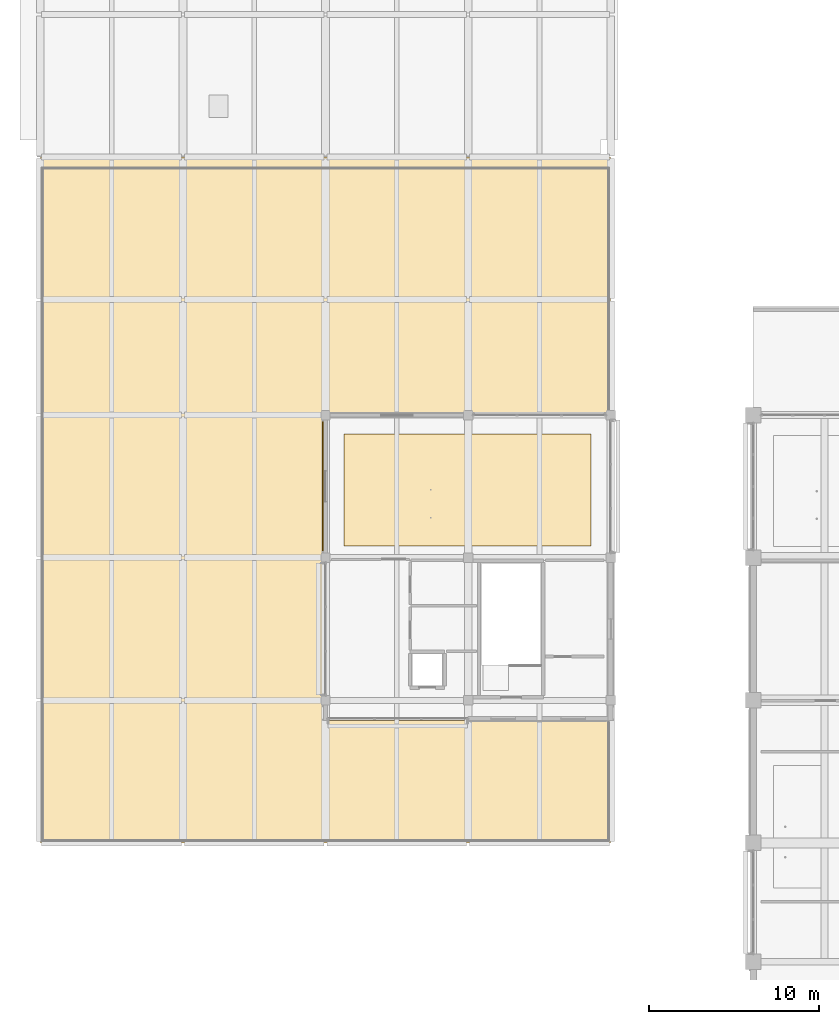
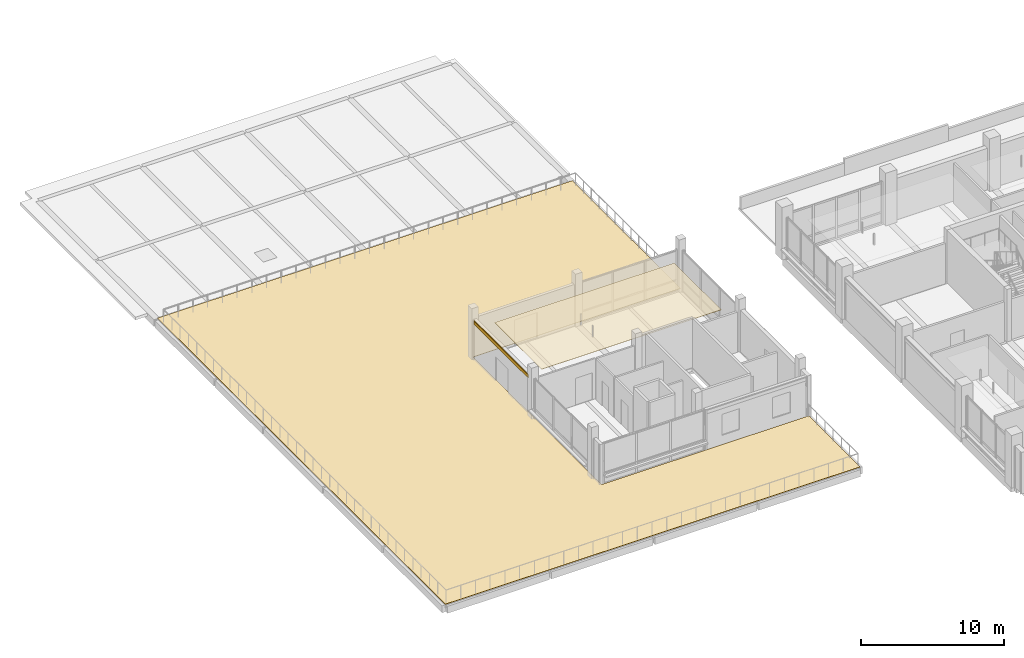
# One storey, part 40 of 59: 3 coverings.
"""IFC4 building model written with IfcOpenShell, lengths in metres."""

from ifc_helpers import new_model, si_unit, direction, frame, origin, origin_2d, place, context, subcontext, project, spatial, polyline, rectangle, outline, extrude, material, layer, layer_set, type_object, element, save


model = new_model("IFC4")

# Units and contexts
model_context = context("Model", 3, precision=1e-05, world=origin(), true_north=direction((0.0, 1.0)))
body_context = subcontext(model_context, "Body", "Model", "MODEL_VIEW")
ifc_project = project(units=[si_unit("LENGTHUNIT", "METRE"), si_unit("AREAUNIT", "SQUARE_METRE"), si_unit("VOLUMEUNIT", "CUBIC_METRE"), si_unit("PLANEANGLEUNIT", "RADIAN"), si_unit("MASSUNIT", "GRAM", prefix="KILO")], contexts=[model_context])

# Site, building, storey
site_placement = place(None, origin())
site = spatial("IfcSite", under=ifc_project, at=site_placement, CompositionType="ELEMENT")
building_placement = place(site_placement, origin())
building = spatial("IfcBuilding", under=site, at=building_placement, Name="Telukmera Botanical Conservatory", CompositionType="ELEMENT")
storey_placement = place(building_placement, frame((0.0, 0.0, 15.0)))
storey = spatial("IfcBuildingStorey", under=building, at=storey_placement, Name="L03", CompositionType="ELEMENT", Elevation=15.0)

# Coverings
ifc_material_1 = material(Name="Mineral fibre acoustic ceiling")
ifc_layer_1 = layer(ifc_material_1, 0.030029296875)
ifc_layer_set_1 = layer_set([ifc_layer_1], Name="Mineral fibre acoustic ceiling")
covering_type_1 = type_object("IfcCoveringType", Name="COV-CEIL-30", PredefinedType="CEILING", material=ifc_layer_set_1)
covering_1_placement = place(storey_placement, frame((0.0, 0.0, 3.320068359375)))
element("IfcCovering", 1, at=covering_1_placement, inside=storey, type_object=covering_type_1, Name="L03 Visitor Centre Terrace Lounge Suspended Acoustic Ceiling", PredefinedType="CEILING", context=body_context, shape_type="SweptSolid", body=[
    extrude(outline(polyline([(26.300048828125, 35.10009765625), (40.85009765625, 35.10009765625), (40.85009765625, 41.699951171875), (26.300048828125, 41.699951171875), (26.300048828125, 35.10009765625)])), origin(), (0.0, 0.0, 1.0), 0.030029296875),
])
ifc_material_2 = material(Name="Elastomeric bituminous waterproof roofing membrane")
ifc_layer_2 = layer(ifc_material_2, 0.030029296875)
ifc_layer_set_2 = layer_set([ifc_layer_2], Name="Elastomeric bituminous waterproof roofing membrane")
covering_type_2 = type_object("IfcCoveringType", Name="Elastomeric Bituminous Waterproof Roof Membrane", PredefinedType="ROOFING", material=ifc_layer_set_2)
covering_2_placement = place(storey_placement, frame((0.0, 0.0, 0.080078125)))
element("IfcCovering", 2, at=covering_2_placement, inside=storey, type_object=covering_type_2, Name="Visitor Centre Terrace Waterproofing Membrane", PredefinedType="ROOFING", context=body_context, shape_type="SweptSolid", body=[
    extrude(outline(polyline([(8.39990234375, 17.60009765625), (42.0, 17.60009765625), (42.0, 24.800048828125), (25.199951171875, 24.800048828125), (25.199951171875, 42.800048828125), (42.0, 42.800048828125), (42.0, 58.0), (8.39990234375, 58.0), (8.39990234375, 17.60009765625)])), origin(), (0.0, 0.0, 1.0), 0.030029296875),
])
ifc_material_3 = material(Name="Terracotta-faced precast concrete C40/50", Category="masonry")
ifc_layer_3 = layer(ifc_material_3, 0.06005859375)
ifc_layer_set_3 = layer_set([ifc_layer_3], Name="Terracotta-faced precast concrete C40/50")
covering_type_3 = type_object("IfcCoveringType", Name="Polychrome Terracotta Facade Band Cladding", PredefinedType="CLADDING", material=ifc_layer_set_3)
covering_3_placement = place(storey_placement, frame((25.050048828125, 38.60009765625, 3.22998046875), z_axis=(0.0, 0.0, 1.0), x_axis=(0.0, 1.0, 0.0)))
element("IfcCovering", 3, at=covering_3_placement, inside=storey, type_object=covering_type_3, Name="Polychrome Terracotta Band V3:L03:W2", PredefinedType="CLADDING", context=body_context, shape_type="SweptSolid", body=[
    extrude(rectangle(XDim=7.60595703125, YDim=0.06005859375, at=origin_2d()), origin(), (0.0, 0.0, 1.0), 0.280029296875),
])

save(model, "model.ifc")
